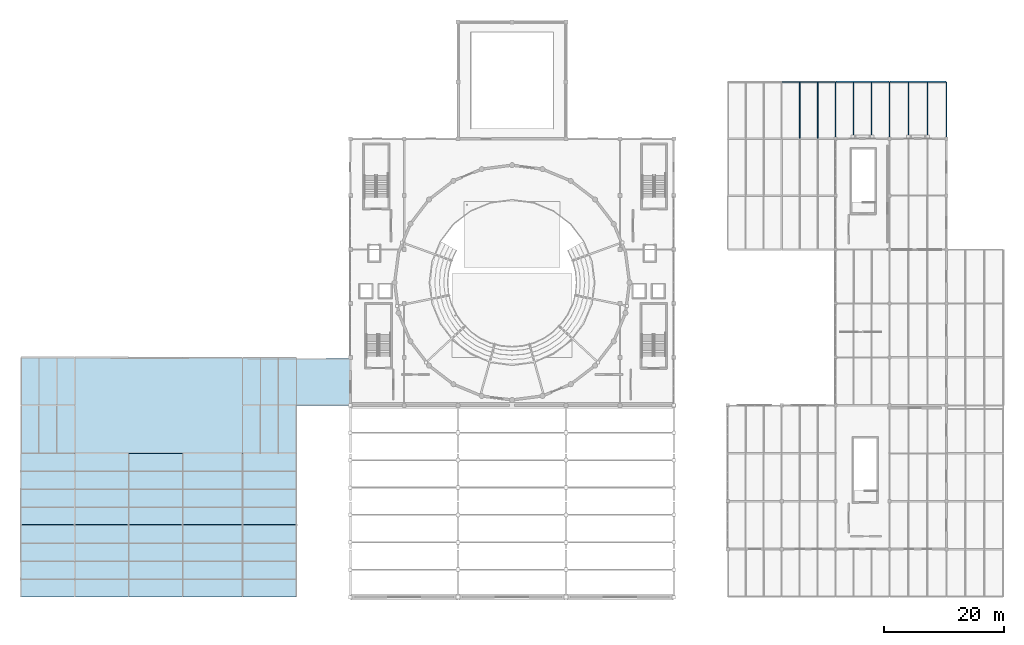
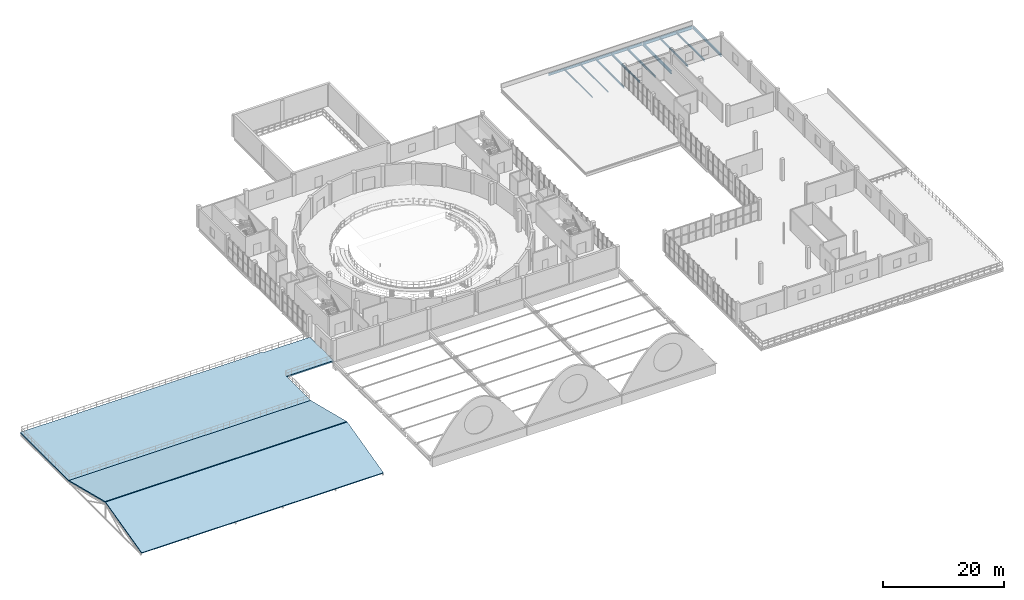
# One storey, part 33 of 54: 12 beams, 3 slabs.
"""IFC4 building model written with IfcOpenShell, lengths in metres."""

from ifc_helpers import new_model, si_unit, direction, frame, origin, origin_2d, place, context, subcontext, project, spatial, polyline, i_section, outline, extrude, material, layer, layer_set, material_profile, profile_set, type_object, element, save


model = new_model("IFC4")

# Units and contexts
model_context = context("Model", 3, precision=1e-05, world=origin(), true_north=direction((0.0, 1.0)))
body_context = subcontext(model_context, "Body", "Model", "MODEL_VIEW")
ifc_project = project(units=[si_unit("LENGTHUNIT", "METRE"), si_unit("AREAUNIT", "SQUARE_METRE"), si_unit("VOLUMEUNIT", "CUBIC_METRE"), si_unit("PLANEANGLEUNIT", "RADIAN"), si_unit("MASSUNIT", "GRAM", prefix="KILO")], contexts=[model_context])

# Site, building, storey
site_placement = place(None, origin())
site = spatial("IfcSite", under=ifc_project, at=site_placement, CompositionType="ELEMENT")
building_placement = place(site_placement, origin())
building = spatial("IfcBuilding", under=site, at=building_placement, Name="Marnock Terrace Opera House", CompositionType="ELEMENT")
storey_placement = place(building_placement, frame((0.0, 0.0, 19.199951171875)))
storey = spatial("IfcBuildingStorey", under=building, at=storey_placement, Name="L04", CompositionType="ELEMENT", Elevation=19.199951171875)

# Beams
ifc_material_1 = material(Name="Steel Grade 350 (AS/NZS 3679.1)", Category="steel")
ifc_material_profile_1 = material_profile(ifc_material_1, i_section(OverallWidth=0.1708984375, OverallDepth=0.355712890625, WebThickness=0.00732421875, FlangeThickness=0.011474609375, FilletRadius=0.011474609375, at=origin_2d()))
ifc_profile_set_1 = profile_set([ifc_material_profile_1], Name="Steel Grade 350 (AS/NZS 3679.1)")
beam_type_1 = type_object("IfcBeamType", Name="BM-GIRD-360", PredefinedType="BEAM", material=ifc_profile_set_1)
beam_1_placement = place(storey_placement, frame((136.0, 84.550048828125, -0.427734375), z_axis=(0.0, 1.0, 0.0), x_axis=(-1.0, 0.0, 0.0)))
element("IfcBeam", 1, at=beam_1_placement, inside=storey, type_object=beam_type_1, Name="L04 girder (X=136.0, 84.5..94.0)", PredefinedType="BEAM", context=body_context, shape_type="SweptSolid", body=[
    extrude(i_section(OverallWidth=0.1708984375, OverallDepth=0.355712890625, WebThickness=0.00732421875, FlangeThickness=0.011474609375, FilletRadius=0.011474609375, at=origin_2d()), origin(), (0.0, 0.0, 1.0), 9.39990234375),
])
ifc_material_profile_2 = material_profile(ifc_material_1, i_section(OverallWidth=0.19091796875, OverallDepth=0.46044921875, WebThickness=0.010009765625, FlangeThickness=0.01611328125, FilletRadius=0.011474609375, at=origin_2d()))
ifc_profile_set_2 = profile_set([ifc_material_profile_2], Name="Steel Grade 350 (AS/NZS 3679.1)")
beam_type_2 = type_object("IfcBeamType", Name="BM-GIRD-460A", PredefinedType="BEAM", material=ifc_profile_set_2)
beam_2_placement = place(storey_placement, frame((127.050048828125, 94.0, -0.4501953125), z_axis=(1.0, 0.0, 0.0), x_axis=(0.0, 1.0, 0.0)))
element("IfcBeam", 2, at=beam_2_placement, inside=storey, type_object=beam_type_2, Name="L04 girder (127.0..136.0, Y=94.0)", PredefinedType="BEAM", context=body_context, shape_type="SweptSolid", body=[
    extrude(i_section(OverallWidth=0.19091796875, OverallDepth=0.46044921875, WebThickness=0.010009765625, FlangeThickness=0.01611328125, FilletRadius=0.011474609375, at=origin_2d()), origin(), (0.0, 0.0, 1.0), 8.89990234375),
])
ifc_material_profile_3 = material_profile(ifc_material_1, i_section(OverallWidth=0.208984375, OverallDepth=0.532958984375, WebThickness=0.01025390625, FlangeThickness=0.015625, FilletRadius=0.013916015625, at=origin_2d()))
ifc_profile_set_3 = profile_set([ifc_material_profile_3], Name="Steel Grade 350 (AS/NZS 3679.1)")
beam_type_3 = type_object("IfcBeamType", Name="BM-GIRD-530A", PredefinedType="BEAM", material=ifc_profile_set_3)
beam_3_placement = place(storey_placement, frame((136.050048828125, 94.0, -0.486572265625), z_axis=(1.0, 0.0, 0.0), x_axis=(0.0, 1.0, 0.0)))
element("IfcBeam", 3, at=beam_3_placement, inside=storey, type_object=beam_type_3, Name="L04 girder (136.0..145.0, Y=94.0)", PredefinedType="BEAM", context=body_context, shape_type="SweptSolid", body=[
    extrude(i_section(OverallWidth=0.208984375, OverallDepth=0.532958984375, WebThickness=0.01025390625, FlangeThickness=0.015625, FilletRadius=0.013916015625, at=origin_2d()), origin(), (0.0, 0.0, 1.0), 8.89990234375),
])
ifc_material_profile_4 = material_profile(ifc_material_1, i_section(OverallWidth=0.208984375, OverallDepth=0.528076171875, WebThickness=0.009521484375, FlangeThickness=0.01318359375, FilletRadius=0.013916015625, at=origin_2d()))
ifc_profile_set_4 = profile_set([ifc_material_profile_4], Name="Steel Grade 350 (AS/NZS 3679.1)")
beam_type_4 = type_object("IfcBeamType", Name="BM-GIRD-530B", PredefinedType="BEAM", material=ifc_profile_set_4)
beam_4_placement = place(storey_placement, frame((154.5, 84.550048828125, -0.513916015625), z_axis=(0.0, 1.0, 0.0), x_axis=(-1.0, 0.0, 0.0)))
element("IfcBeam", 4, at=beam_4_placement, inside=storey, type_object=beam_type_4, Name="L04 girder (X=154.5, 84.5..94.0)", PredefinedType="BEAM", context=body_context, shape_type="SweptSolid", body=[
    extrude(i_section(OverallWidth=0.208984375, OverallDepth=0.528076171875, WebThickness=0.009521484375, FlangeThickness=0.01318359375, FilletRadius=0.013916015625, at=origin_2d()), origin(), (0.0, 0.0, 1.0), 9.39990234375),
])
ifc_material_profile_5 = material_profile(ifc_material_1, i_section(OverallWidth=0.22802734375, OverallDepth=0.60693359375, WebThickness=0.01123046875, FlangeThickness=0.017333984375, FilletRadius=0.013916015625, at=origin_2d()))
ifc_profile_set_5 = profile_set([ifc_material_profile_5], Name="Steel Grade 350 (AS/NZS 3679.1)")
beam_type_5 = type_object("IfcBeamType", Name="BM-GIRD-610B", PredefinedType="BEAM", material=ifc_profile_set_5)
beam_5_placement = place(storey_placement, frame((145.050048828125, 94.0, -0.5234375), z_axis=(1.0, 0.0, 0.0), x_axis=(0.0, 1.0, 0.0)))
element("IfcBeam", 5, at=beam_5_placement, inside=storey, type_object=beam_type_5, Name="L04 girder (145.0..154.5, Y=94.0)", PredefinedType="BEAM", context=body_context, shape_type="SweptSolid", body=[
    extrude(i_section(OverallWidth=0.22802734375, OverallDepth=0.60693359375, WebThickness=0.01123046875, FlangeThickness=0.017333984375, FilletRadius=0.013916015625, at=origin_2d()), origin(), (0.0, 0.0, 1.0), 9.39990234375),
])
ifc_material_profile_6 = material_profile(ifc_material_1, i_section(OverallWidth=0.22802734375, OverallDepth=0.60205078125, WebThickness=0.010498046875, FlangeThickness=0.014892578125, FilletRadius=0.013916015625, at=origin_2d()))
ifc_profile_set_6 = profile_set([ifc_material_profile_6], Name="Steel Grade 350 (AS/NZS 3679.1)")
beam_type_6 = type_object("IfcBeamType", Name="BM-GIRD-610C", PredefinedType="BEAM", material=ifc_profile_set_6)
beam_6_placement = place(storey_placement, frame((145.0, 84.550048828125, -0.551025390625), z_axis=(0.0, 1.0, 0.0), x_axis=(-1.0, 0.0, 0.0)))
element("IfcBeam", 6, at=beam_6_placement, inside=storey, type_object=beam_type_6, Name="L04 girder (X=145.0, 84.5..94.0)", PredefinedType="BEAM", context=body_context, shape_type="SweptSolid", body=[
    extrude(i_section(OverallWidth=0.22802734375, OverallDepth=0.60205078125, WebThickness=0.010498046875, FlangeThickness=0.014892578125, FilletRadius=0.013916015625, at=origin_2d()), origin(), (0.0, 0.0, 1.0), 9.39990234375),
])
ifc_material_profile_7 = material_profile(ifc_material_1, i_section(OverallWidth=0.14599609375, OverallDepth=0.256103515625, WebThickness=0.00634765625, FlangeThickness=0.010986328125, FilletRadius=0.0087890625, at=origin_2d()))
ifc_profile_set_7 = profile_set([ifc_material_profile_7], Name="Steel Grade 350 (AS/NZS 3679.1)")
beam_type_7 = type_object("IfcBeamType", Name="BM-JOIST-250", PredefinedType="JOIST", material=ifc_profile_set_7)
for number, where, z_axis, x_axis, name in (
    (7, (130.0, 84.599609375, -0.34814453125), (0.0, 1.0, 0.0), (-1.0, 0.0, 0.0), "L04 secondary joist 14.10.1"),
    (8, (133.0, 84.599609375, -0.34814453125), (0.0, 1.0, 0.0), (-1.0, 0.0, 0.0), "L04 secondary joist 14.10.2"),
):
    element("IfcBeam", number, at=place(storey_placement, frame(where, z_axis=z_axis, x_axis=x_axis)), inside=storey, type_object=beam_type_7, Name=name, PredefinedType="JOIST", context=body_context, shape_type="SweptSolid", body=[
        extrude(i_section(OverallWidth=0.14599609375, OverallDepth=0.256103515625, WebThickness=0.00634765625, FlangeThickness=0.010986328125, FilletRadius=0.0087890625, at=origin_2d()), origin(), (0.0, 0.0, 1.0), 9.309814453125),
    ])
ifc_material_profile_8 = material_profile(ifc_material_1, i_section(OverallWidth=0.172119140625, OverallDepth=0.358642578125, WebThickness=0.008056640625, FlangeThickness=0.012939453125, FilletRadius=0.011474609375, at=origin_2d()))
ifc_profile_set_8 = profile_set([ifc_material_profile_8], Name="Steel Grade 350 (AS/NZS 3679.1)")
beam_type_8 = type_object("IfcBeamType", Name="BM-JOIST-360", PredefinedType="JOIST", material=ifc_profile_set_8)
for number, where, z_axis, x_axis, name in (
    (9, (148.166748046875, 84.609619140625, -0.42919921875), (0.0, 1.0, 0.0), (-1.0, 0.0, 0.0), "L04 secondary joist 16.10.1"),
    (10, (151.333251953125, 84.609619140625, -0.42919921875), (0.0, 1.0, 0.0), (-1.0, 0.0, 0.0), "L04 secondary joist 16.10.2"),
):
    element("IfcBeam", number, at=place(storey_placement, frame(where, z_axis=z_axis, x_axis=x_axis)), inside=storey, type_object=beam_type_8, Name=name, PredefinedType="JOIST", context=body_context, shape_type="SweptSolid", body=[
        extrude(i_section(OverallWidth=0.172119140625, OverallDepth=0.358642578125, WebThickness=0.008056640625, FlangeThickness=0.012939453125, FilletRadius=0.011474609375, at=origin_2d()), origin(), (0.0, 0.0, 1.0), 9.281494140625),
    ])
ifc_material_profile_9 = material_profile(ifc_material_1, i_section(OverallWidth=0.177978515625, OverallDepth=0.406494140625, WebThickness=0.0078125, FlangeThickness=0.0126953125, FilletRadius=0.011474609375, at=origin_2d()))
ifc_profile_set_9 = profile_set([ifc_material_profile_9], Name="Steel Grade 350 (AS/NZS 3679.1)")
beam_type_9 = type_object("IfcBeamType", Name="BM-JOIST-410", PredefinedType="JOIST", material=ifc_profile_set_9)
for number, where, z_axis, x_axis, name in (
    (11, (139.0, 84.60888671875, -0.453125), (0.0, 1.0, 0.0), (-1.0, 0.0, 0.0), "L04 secondary joist 15.10.1"),
    (12, (142.0, 84.60888671875, -0.453125), (0.0, 1.0, 0.0), (-1.0, 0.0, 0.0), "L04 secondary joist 15.10.2"),
):
    element("IfcBeam", number, at=place(storey_placement, frame(where, z_axis=z_axis, x_axis=x_axis)), inside=storey, type_object=beam_type_9, Name=name, PredefinedType="JOIST", context=body_context, shape_type="SweptSolid", body=[
        extrude(i_section(OverallWidth=0.177978515625, OverallDepth=0.406494140625, WebThickness=0.0078125, FlangeThickness=0.0126953125, FilletRadius=0.011474609375, at=origin_2d()), origin(), (0.0, 0.0, 1.0), 9.29150390625),
    ])

# Slabs
ifc_material_2 = material(Name="Concrete N40 (f'c = 40 MPa)", Category="concrete")
ifc_layer_1 = layer(ifc_material_2, 0.2099609375)
ifc_layer_set_1 = layer_set([ifc_layer_1], Name="Concrete N40 (f'c = 40 MPa)")
slab_type_1 = type_object("IfcSlabType", Name="SL-PITCH-210", PredefinedType="ROOF", material=ifc_layer_set_1)
for number, where, z_axis, x_axis, name in (
    (13, (0.0, 8.0, 0.0), (0.0, -0.242535625036, 0.970142500145), (1.0, 0.0, 0.0), "Volume 3 Rehearsal and Chamber Wing south pitched roof slab"),
    (14, (46.0, 32.0, 0.0), (0.0, 0.242535625036, 0.970142500145), (-1.0, 0.0, 0.0), "Volume 3 Rehearsal and Chamber Wing north pitched roof slab"),
):
    element("IfcSlab", number, at=place(storey_placement, frame(where, z_axis=z_axis, x_axis=x_axis)), inside=storey, type_object=slab_type_1, Name=name, PredefinedType="ROOF", context=body_context, shape_type="SweptSolid", body=[
        extrude(outline(polyline([(0.0, 0.0), (46.0, 0.0), (46.0, 12.286774234933878), (0.0, 12.286774234933878), (0.0, 0.0)])), origin(), (0.0, 0.0, -1.0), 0.2099609375),
    ])
ifc_layer_2 = layer(ifc_material_2, 0.27001953125)
ifc_layer_set_2 = layer_set([ifc_layer_2], Name="Concrete N40 (f'c = 40 MPa)")
slab_type_2 = type_object("IfcSlabType", Name="SL-TERR-270", PredefinedType="ROOF", material=ifc_layer_set_2)
slab_placement = place(storey_placement, frame((0.0, 0.0, -0.27001953125)))
element("IfcSlab", 15, at=slab_placement, inside=storey, type_object=slab_type_2, Name="planted roof garden terrace slab SL-TERR-L04-V3", PredefinedType="ROOF", context=body_context, shape_type="SweptSolid", body=[
    extrude(outline(polyline([(0.0, 32.0), (46.0, 32.0), (46.0, 40.0), (55.0, 40.0), (55.0, 47.800048828125), (46.0, 47.800048828125), (46.0, 48.0), (0.0, 48.0), (0.0, 32.0)])), origin(), (0.0, 0.0, 1.0), 0.27001953125),
])

save(model, "model.ifc")
